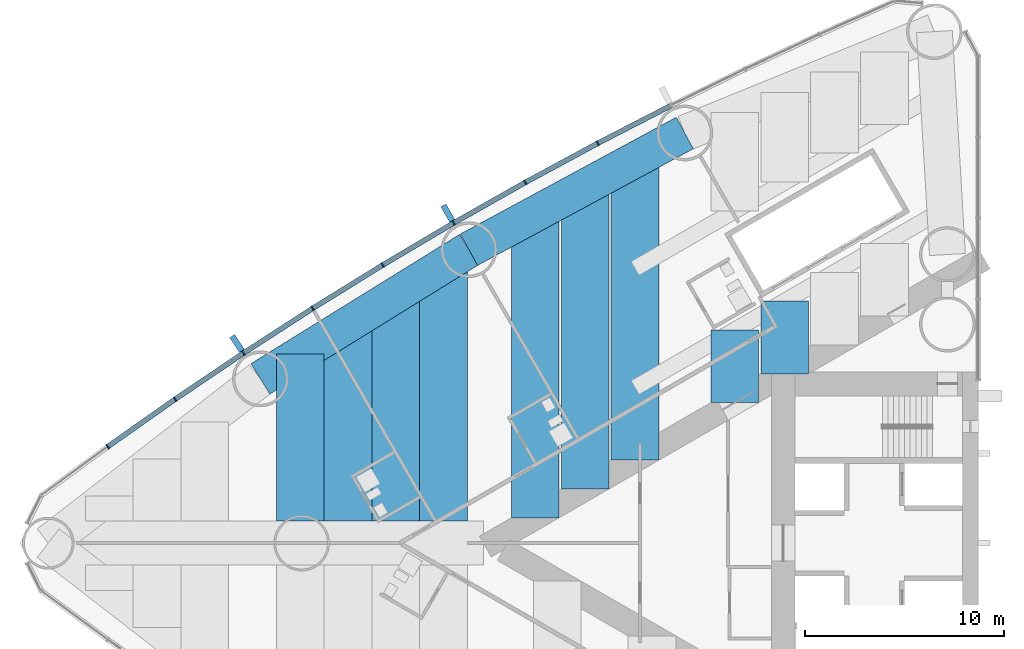
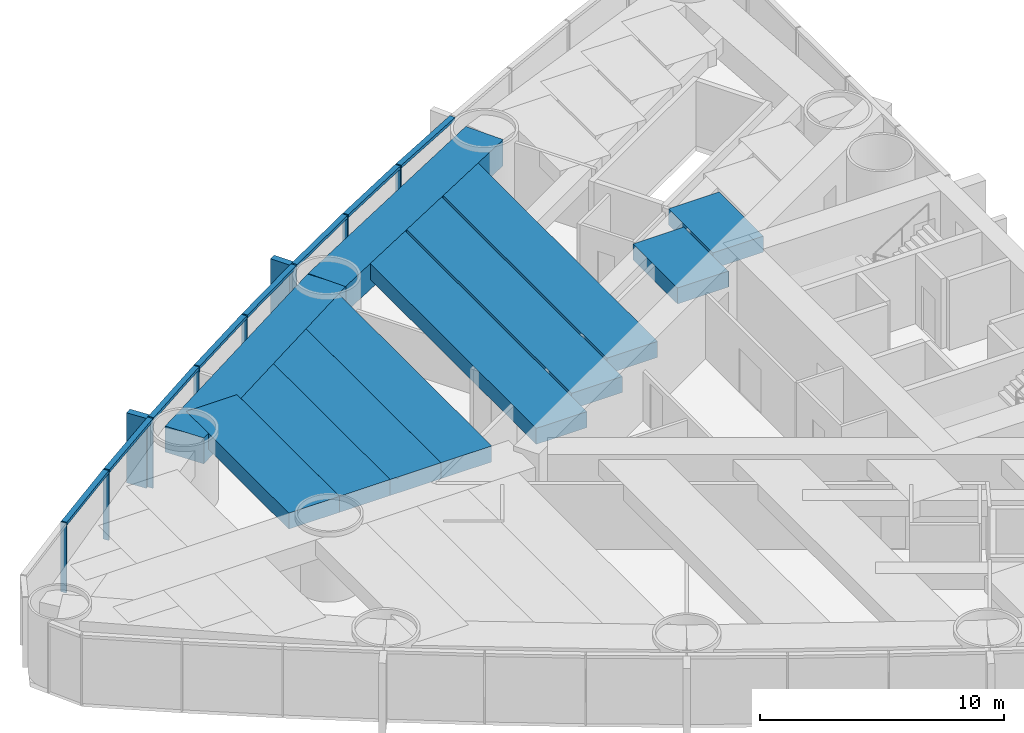
# One storey, part 4 of 19: 18 members, 11 beams, 1 element without a shape of its own.
"""IFC4 building model written with IfcOpenShell, lengths in metres."""

from ifc_helpers import new_model, si_unit, direction, frame, origin, origin_2d, place, context, subcontext, project, spatial, rectangle, extrude, material, material_profile, profile_set, type_object, element, aggregate, save


model = new_model("IFC4")

# Units and contexts
model_context = context("Model", 3, precision=1e-05, world=origin(), true_north=direction((0.0, 1.0)))
body_context = subcontext(model_context, "Body", "Model", "MODEL_VIEW")
ifc_project = project(units=[si_unit("LENGTHUNIT", "METRE"), si_unit("AREAUNIT", "SQUARE_METRE"), si_unit("VOLUMEUNIT", "CUBIC_METRE"), si_unit("PLANEANGLEUNIT", "RADIAN"), si_unit("MASSUNIT", "GRAM", prefix="KILO")], contexts=[model_context])

# Site, building, storey
site_placement = place(None, origin())
site = spatial("IfcSite", under=ifc_project, at=site_placement, CompositionType="ELEMENT")
building_placement = place(site_placement, origin())
building = spatial("IfcBuilding", under=site, at=building_placement, Name="Lancet Gate Hotel", CompositionType="ELEMENT")
storey_placement = place(building_placement, frame((0.0, 0.0, 67.0)))
storey = spatial("IfcBuildingStorey", under=building, at=storey_placement, Name="L17", CompositionType="ELEMENT", Elevation=67.0)

# Curtain wall, members
ifc_material_1 = material(Name="Aluminium curtain wall", Category="aluminium")
curtain_wall_type = type_object("IfcCurtainWallType", Name="Tower unitised curtain wall", PredefinedType="USERDEFINED", material=ifc_material_1)
curtain_wall_placement = place(storey_placement, origin())
curtain_wall = element("IfcCurtainWall", 1, at=curtain_wall_placement, inside=storey, type_object=curtain_wall_type, Name="T1 L17 curtain wall 2", ObjectType="UNITISED CURTAIN WALL", PredefinedType="USERDEFINED")
ifc_material_2 = material(Name="Aluminium mullion", Category="aluminium")
ifc_material_profile_1 = material_profile(ifc_material_2, rectangle(XDim=0.06494140625, YDim=0.25, at=origin_2d()), Name="MULLION 65x250")
ifc_profile_set_1 = profile_set([ifc_material_profile_1], Name="Aluminium mullion")
member_type_1 = type_object("IfcMemberType", Name="Aluminium mullion 65x250", PredefinedType="MULLION", material=ifc_profile_set_1)
member_1_placement = place(storey_placement, frame((-46.6220703125, 20.094970703125, 0.0), z_axis=(0.0, 0.0, 1.0), x_axis=(-0.884311132302, -0.466898084475, 0.0)))
member_1 = element("IfcMember", 2, at=member_1_placement, type_object=member_type_1, Name="T1 L17 curtain wall 2 mullion 6", PredefinedType="MULLION", context=body_context, shape_type="SweptSolid", body=[
    extrude(rectangle(XDim=0.06494140625, YDim=0.25, at=origin_2d()), origin(), (0.0, 0.0, 1.0), 3.5),
])
member_2_placement = place(storey_placement, frame((-50.26416015625, 18.1259765625, 0.0), z_axis=(0.0, 0.0, 1.0), x_axis=(-0.874991035403, -0.484139120464, 0.0)))
member_2 = element("IfcMember", 3, at=member_2_placement, type_object=member_type_1, Name="T1 L17 curtain wall 2 mullion 7", PredefinedType="MULLION", context=body_context, shape_type="SweptSolid", body=[
    extrude(rectangle(XDim=0.06494140625, YDim=0.25, at=origin_2d()), origin(), (0.0, 0.0, 1.0), 3.5),
])
member_3_placement = place(storey_placement, frame((-53.866943359375, 16.086181640625, 0.0), z_axis=(0.0, 0.0, 1.0), x_axis=(-0.86533483912, -0.501194190115, 0.0)))
member_3 = element("IfcMember", 4, at=member_3_placement, type_object=member_type_1, Name="T1 L17 curtain wall 2 mullion 8", PredefinedType="MULLION", context=body_context, shape_type="SweptSolid", body=[
    extrude(rectangle(XDim=0.06494140625, YDim=0.25, at=origin_2d()), origin(), (0.0, 0.0, 1.0), 3.5),
])
member_4_placement = place(storey_placement, frame((-57.42919921875, 13.97607421875, 0.0), z_axis=(0.0, 0.0, 1.0), x_axis=(-0.855346252548, -0.518056742309, 0.0)))
member_4 = element("IfcMember", 5, at=member_4_placement, type_object=member_type_1, Name="T1 L17 curtain wall 2 mullion 9", PredefinedType="MULLION", context=body_context, shape_type="SweptSolid", body=[
    extrude(rectangle(XDim=0.06494140625, YDim=0.25, at=origin_2d()), origin(), (0.0, 0.0, 1.0), 3.5),
])
member_5_placement = place(storey_placement, frame((-60.949462890625, 11.796630859375, 0.0), z_axis=(0.0, 0.0, 1.0), x_axis=(-0.845029112489, -0.534720299827, 0.0)))
member_5 = element("IfcMember", 6, at=member_5_placement, type_object=member_type_1, Name="T1 L17 curtain wall 2 mullion 10", PredefinedType="MULLION", context=body_context, shape_type="SweptSolid", body=[
    extrude(rectangle(XDim=0.06494140625, YDim=0.25, at=origin_2d()), origin(), (0.0, 0.0, 1.0), 3.5),
])
member_6_placement = place(storey_placement, frame((-64.42626953125, 9.548583984375, 0.0), z_axis=(0.0, 0.0, 1.0), x_axis=(-0.834387381945, -0.55117846189, 0.0)))
member_6 = element("IfcMember", 7, at=member_6_placement, type_object=member_type_1, Name="T1 L17 curtain wall 2 mullion 11", PredefinedType="MULLION", context=body_context, shape_type="SweptSolid", body=[
    extrude(rectangle(XDim=0.06494140625, YDim=0.25, at=origin_2d()), origin(), (0.0, 0.0, 1.0), 3.5),
])
member_7_placement = place(storey_placement, frame((-67.858154296875, 7.232666015625, 0.0), z_axis=(0.0, 0.0, 1.0), x_axis=(-0.823425148573, -0.56742490666, 0.0)))
member_7 = element("IfcMember", 8, at=member_7_placement, type_object=member_type_1, Name="T1 L17 curtain wall 2 mullion 12", PredefinedType="MULLION", context=body_context, shape_type="SweptSolid", body=[
    extrude(rectangle(XDim=0.06494140625, YDim=0.25, at=origin_2d()), origin(), (0.0, 0.0, 1.0), 3.5),
])
member_8_placement = place(storey_placement, frame((-71.244384765625, 4.85009765625, 0.0), z_axis=(0.0, 0.0, 1.0), x_axis=(-0.812146623168, -0.583453393578, 0.0)))
member_8 = element("IfcMember", 9, at=member_8_placement, type_object=member_type_1, Name="T1 L17 curtain wall 2 mullion 13", PredefinedType="MULLION", context=body_context, shape_type="SweptSolid", body=[
    extrude(rectangle(XDim=0.06494140625, YDim=0.25, at=origin_2d()), origin(), (0.0, 0.0, 1.0), 3.5),
])
ifc_material_3 = material(Name="Aluminium transom", Category="aluminium")
ifc_material_profile_2 = material_profile(ifc_material_3, rectangle(XDim=0.25, YDim=0.14990234375, at=origin_2d()), Name="TRANSOM 250x150")
ifc_profile_set_2 = profile_set([ifc_material_profile_2], Name="Aluminium transom")
member_type_2 = type_object("IfcMemberType", Name="Aluminium transom 250x150", PredefinedType="USERDEFINED", material=ifc_profile_set_2)
member_9_placement = place(storey_placement, frame((-42.970703125, 21.97705078125, 3.425048828125), z_axis=(-0.888859972399, -0.458178949175, 0.0), x_axis=(0.458178949175, -0.888859972399, 0.0)))
member_9 = element("IfcMember", 10, at=member_9_placement, type_object=member_type_2, Name="T1 L17 curtain wall 2 transom 5", ObjectType="TRANSOM", PredefinedType="USERDEFINED", context=body_context, shape_type="SweptSolid", body=[
    extrude(rectangle(XDim=0.25, YDim=0.14990234375, at=origin_2d()), origin(), (0.0, 0.0, 1.0), 4.0751953125),
])
member_10_placement = place(storey_placement, frame((-46.650634765625, 20.079345703125, 3.425048828125), z_axis=(-0.87971396408, -0.475503250675, 0.0), x_axis=(0.475503250675, -0.87971396408, 0.0)))
member_10 = element("IfcMember", 11, at=member_10_placement, type_object=member_type_2, Name="T1 L17 curtain wall 2 transom 6", ObjectType="TRANSOM", PredefinedType="USERDEFINED", context=body_context, shape_type="SweptSolid", body=[
    extrude(rectangle(XDim=0.25, YDim=0.14990234375, at=origin_2d()), origin(), (0.0, 0.0, 1.0), 4.0751953125),
])
member_11_placement = place(storey_placement, frame((-50.29248046875, 18.110107421875, 3.425048828125), z_axis=(-0.870197729943, -0.492702659625, 0.0), x_axis=(0.492702659625, -0.870197729943, 0.0)))
member_11 = element("IfcMember", 12, at=member_11_placement, type_object=member_type_2, Name="T1 L17 curtain wall 2 transom 7", ObjectType="TRANSOM", PredefinedType="USERDEFINED", context=body_context, shape_type="SweptSolid", body=[
    extrude(rectangle(XDim=0.25, YDim=0.14990234375, at=origin_2d()), origin(), (0.0, 0.0, 1.0), 4.0751953125),
])
member_12_placement = place(storey_placement, frame((-53.89501953125, 16.069580078125, 3.425048828125), z_axis=(-0.86039174806, -0.509633240547, 0.0), x_axis=(0.509633240547, -0.86039174806, 0.0)))
member_12 = element("IfcMember", 13, at=member_12_placement, type_object=member_type_2, Name="T1 L17 curtain wall 2 transom 8", ObjectType="TRANSOM", PredefinedType="USERDEFINED", context=body_context, shape_type="SweptSolid", body=[
    extrude(rectangle(XDim=0.25, YDim=0.14990234375, at=origin_2d()), origin(), (0.0, 0.0, 1.0), 4.0751953125),
])
member_13_placement = place(storey_placement, frame((-57.456787109375, 13.958984375, 3.425048828125), z_axis=(-0.850242165643, -0.526391736032, 0.0), x_axis=(0.526391736032, -0.850242165643, 0.0)))
member_13 = element("IfcMember", 14, at=member_13_placement, type_object=member_type_2, Name="T1 L17 curtain wall 2 transom 9", ObjectType="TRANSOM", PredefinedType="USERDEFINED", context=body_context, shape_type="SweptSolid", body=[
    extrude(rectangle(XDim=0.25, YDim=0.14990234375, at=origin_2d()), origin(), (0.0, 0.0, 1.0), 4.075439453125),
])
member_14_placement = place(storey_placement, frame((-60.976806640625, 11.779052734375, 3.425048828125), z_axis=(-0.839729242404, -0.543005340169, 0.0), x_axis=(0.543005340169, -0.839729242404, 0.0)))
member_14 = element("IfcMember", 15, at=member_14_placement, type_object=member_type_2, Name="T1 L17 curtain wall 2 transom 10", ObjectType="TRANSOM", PredefinedType="USERDEFINED", context=body_context, shape_type="SweptSolid", body=[
    extrude(rectangle(XDim=0.25, YDim=0.14990234375, at=origin_2d()), origin(), (0.0, 0.0, 1.0), 4.0751953125),
])
member_15_placement = place(storey_placement, frame((-64.453125, 9.5302734375, 3.425048828125), z_axis=(-0.828959086782, -0.559309245804, 0.0), x_axis=(0.559309245804, -0.828959086782, 0.0)))
member_15 = element("IfcMember", 16, at=member_15_placement, type_object=member_type_2, Name="T1 L17 curtain wall 2 transom 11", ObjectType="TRANSOM", PredefinedType="USERDEFINED", context=body_context, shape_type="SweptSolid", body=[
    extrude(rectangle(XDim=0.25, YDim=0.14990234375, at=origin_2d()), origin(), (0.0, 0.0, 1.0), 4.0751953125),
])
member_16_placement = place(storey_placement, frame((-67.884765625, 7.214111328125, 3.425048828125), z_axis=(-0.817833568345, -0.57545482402, 0.0), x_axis=(0.57545482402, -0.817833568345, 0.0)))
member_16 = element("IfcMember", 17, at=member_16_placement, type_object=member_type_2, Name="T1 L17 curtain wall 2 transom 12", ObjectType="TRANSOM", PredefinedType="USERDEFINED", context=body_context, shape_type="SweptSolid", body=[
    extrude(rectangle(XDim=0.25, YDim=0.14990234375, at=origin_2d()), origin(), (0.0, 0.0, 1.0), 4.075439453125),
])

# Beams
ifc_material_4 = material(Name="Concrete C50/60", Category="concrete")
ifc_material_profile_3 = material_profile(ifc_material_4, rectangle(XDim=1.800048828125, YDim=1.300048828125, at=origin_2d()), Name="RC 1800x1300")
ifc_profile_set_3 = profile_set([ifc_material_profile_3], Name="Concrete C50/60")
beam_type_1 = type_object("IfcBeamType", Name="Edge beam RC 1800x1300", PredefinedType="SPANDREL", material=ifc_profile_set_3)
for number, where, z_axis, x_axis, name in (
    (18, (-42.2451171875, 20.607421875, 2.60009765625), (-0.879692855603, -0.475542300749, 0.0), (0.475542300749, -0.879692855603, 0.0), "T1 edge beam EB1 L17"),
    (19, (-53.090087890625, 14.744873046875, 2.60009765625), (-0.850225894333, -0.526418016984, 0.0), (0.526418016984, -0.850225894333, 0.0), "T1 edge beam EB1 L17"),
):
    element("IfcBeam", number, at=place(storey_placement, frame(where, z_axis=z_axis, x_axis=x_axis)), inside=storey, type_object=beam_type_1, Name=name, PredefinedType="SPANDREL", context=body_context, shape_type="SweptSolid", body=[
        extrude(rectangle(XDim=1.800048828125, YDim=1.300048828125, at=origin_2d()), origin(), (0.0, 0.0, 1.0), 12.328125),
    ])

# Member
ifc_material_5 = material(Name="Precast concrete C50/60", Category="concrete")
ifc_material_profile_4 = material_profile(ifc_material_5, rectangle(XDim=0.300048828125, YDim=0.89990234375, at=origin_2d()), Name="FIN 300x900")
ifc_profile_set_4 = profile_set([ifc_material_profile_4], Name="Precast concrete C50/60")
member_type_3 = type_object("IfcMemberType", Name="Exposed concrete fin 300x900", PredefinedType="USERDEFINED", material=ifc_profile_set_4)
member_17_placement = place(storey_placement, frame((-54.1552734375, 16.583740234375, 0.0), z_axis=(0.0, 0.0, 1.0), x_axis=(-0.86533483912, -0.501194190115, 0.0)))
member_17 = element("IfcMember", 20, at=member_17_placement, type_object=member_type_3, Name="T1 L17 curtain wall 2 fin 8", ObjectType="FIN", PredefinedType="USERDEFINED", context=body_context, shape_type="SweptSolid", body=[
    extrude(rectangle(XDim=0.300048828125, YDim=0.89990234375, at=origin_2d()), origin(), (0.0, 0.0, 1.0), 3.5),
])

member_18_placement = place(storey_placement, frame((-64.7431640625, 10.0283203125, 0.0), z_axis=(0.0, 0.0, 1.0), x_axis=(-0.834387381945, -0.55117846189, 0.0)))
member_18 = element("IfcMember", 21, at=member_18_placement, type_object=member_type_3, Name="T1 L17 curtain wall 2 fin 11", ObjectType="FIN", PredefinedType="USERDEFINED", context=body_context, shape_type="SweptSolid", body=[
    extrude(rectangle(XDim=0.300048828125, YDim=0.89990234375, at=origin_2d()), origin(), (0.0, 0.0, 1.0), 3.5),
])

aggregate(curtain_wall, [member_1, member_2, member_3, member_17, member_4, member_5, member_6, member_18, member_7, member_8, member_9, member_10, member_11, member_12, member_13, member_14, member_15, member_16])

# Beams
ifc_material_6 = material(Name="Concrete C50/60", Category="concrete")
ifc_material_profile_5 = material_profile(ifc_material_6, rectangle(XDim=2.39990234375, YDim=0.800048828125, at=origin_2d()), Name="RC 2400x800")
ifc_profile_set_5 = profile_set([ifc_material_profile_5], Name="Concrete C50/60")
beam_type_2 = type_object("IfcBeamType", Name="Floor beam RC 2400x800", PredefinedType="BEAM", material=ifc_profile_set_5)
beam_1_placement = place(storey_placement, frame((-44.747802734375, 19.254638671875, 2.85009765625), z_axis=(0.0, -1.0, 0.0), x_axis=(1.0, 0.0, 0.0)))
element("IfcBeam", 22, at=beam_1_placement, inside=storey, type_object=beam_type_2, Name="T1 floor beam F09S L17", PredefinedType="BEAM", context=body_context, shape_type="SweptSolid", body=[
    extrude(rectangle(XDim=2.39990234375, YDim=0.800048828125, at=origin_2d()), origin(), (0.0, 0.0, 1.0), 15.0859375),
])
beam_2_placement = place(storey_placement, frame((-47.254638671875, 17.8994140625, 2.85009765625), z_axis=(0.0, -1.0, 0.0), x_axis=(1.0, 0.0, 0.0)))
element("IfcBeam", 23, at=beam_2_placement, inside=storey, type_object=beam_type_2, Name="T1 floor beam F10S L17", PredefinedType="BEAM", context=body_context, shape_type="SweptSolid", body=[
    extrude(rectangle(XDim=2.39990234375, YDim=0.800048828125, at=origin_2d()), origin(), (0.0, 0.0, 1.0), 15.177978515625),
])
beam_3_placement = place(storey_placement, frame((-49.761474609375, 16.54443359375, 2.85009765625), z_axis=(0.0, -1.0, 0.0), x_axis=(1.0, 0.0, 0.0)))
element("IfcBeam", 24, at=beam_3_placement, inside=storey, type_object=beam_type_2, Name="T1 floor beam F12S L17", PredefinedType="BEAM", context=body_context, shape_type="SweptSolid", body=[
    extrude(rectangle(XDim=2.39990234375, YDim=0.800048828125, at=origin_2d()), origin(), (0.0, 0.0, 1.0), 15.270263671875),
])
beam_4_placement = place(storey_placement, frame((-54.3681640625, 13.95361328125, 2.85009765625), z_axis=(0.0, -1.0, 0.0), x_axis=(1.0, 0.0, 0.0)))
element("IfcBeam", 25, at=beam_4_placement, inside=storey, type_object=beam_type_2, Name="T1 floor beam F13S L17", PredefinedType="BEAM", context=body_context, shape_type="SweptSolid", body=[
    extrude(rectangle(XDim=2.39990234375, YDim=0.800048828125, at=origin_2d()), origin(), (0.0, 0.0, 1.0), 12.853515625),
])
beam_5_placement = place(storey_placement, frame((-56.768310546875, 12.467529296875, 2.85009765625), z_axis=(0.0, -1.0, 0.0), x_axis=(1.0, 0.0, 0.0)))
element("IfcBeam", 26, at=beam_5_placement, inside=storey, type_object=beam_type_2, Name="T1 floor beam F15S L17", PredefinedType="BEAM", context=body_context, shape_type="SweptSolid", body=[
    extrude(rectangle(XDim=2.39990234375, YDim=0.800048828125, at=origin_2d()), origin(), (0.0, 0.0, 1.0), 11.367431640625),
])
beam_6_placement = place(storey_placement, frame((-59.168212890625, 10.981689453125, 2.85009765625), z_axis=(0.0, -1.0, 0.0), x_axis=(1.0, 0.0, 0.0)))
element("IfcBeam", 27, at=beam_6_placement, inside=storey, type_object=beam_type_2, Name="T1 floor beam F17S L17", PredefinedType="BEAM", context=body_context, shape_type="SweptSolid", body=[
    extrude(rectangle(XDim=2.39990234375, YDim=0.800048828125, at=origin_2d()), origin(), (0.0, 0.0, 1.0), 9.881591796875),
])
beam_7_placement = place(storey_placement, frame((-61.568359375, 9.495849609375, 2.85009765625), z_axis=(0.0, -1.0, 0.0), x_axis=(1.0, 0.0, 0.0)))
element("IfcBeam", 28, at=beam_7_placement, inside=storey, type_object=beam_type_2, Name="T1 floor beam F19S L17", PredefinedType="BEAM", context=body_context, shape_type="SweptSolid", body=[
    extrude(rectangle(XDim=2.39990234375, YDim=0.800048828125, at=origin_2d()), origin(), (0.0, 0.0, 1.0), 8.395751953125),
])
beam_8_placement = place(storey_placement, frame((-37.227294921875, 12.15625, 2.85009765625), z_axis=(0.0, -1.0, 0.0), x_axis=(1.0, 0.0, 0.0)))
element("IfcBeam", 29, at=beam_8_placement, inside=storey, type_object=beam_type_2, Name="T1 floor beam F05SB L17", PredefinedType="BEAM", context=body_context, shape_type="SweptSolid", body=[
    extrude(rectangle(XDim=2.39990234375, YDim=0.800048828125, at=origin_2d()), origin(), (0.0, 0.0, 1.0), 3.6455078125),
])
beam_9_placement = place(storey_placement, frame((-39.734130859375, 10.708740234375, 2.85009765625), z_axis=(0.0, -1.0, 0.0), x_axis=(1.0, 0.0, 0.0)))
element("IfcBeam", 30, at=beam_9_placement, inside=storey, type_object=beam_type_2, Name="T1 floor beam F07SB L17", PredefinedType="BEAM", context=body_context, shape_type="SweptSolid", body=[
    extrude(rectangle(XDim=2.39990234375, YDim=0.800048828125, at=origin_2d()), origin(), (0.0, 0.0, 1.0), 3.645263671875),
])

save(model, "model.ifc")
